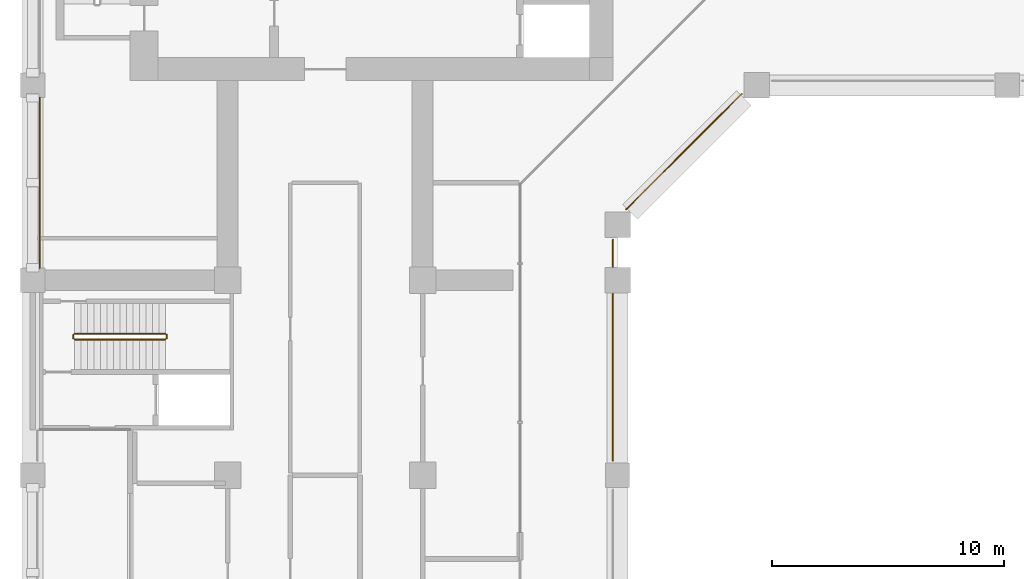
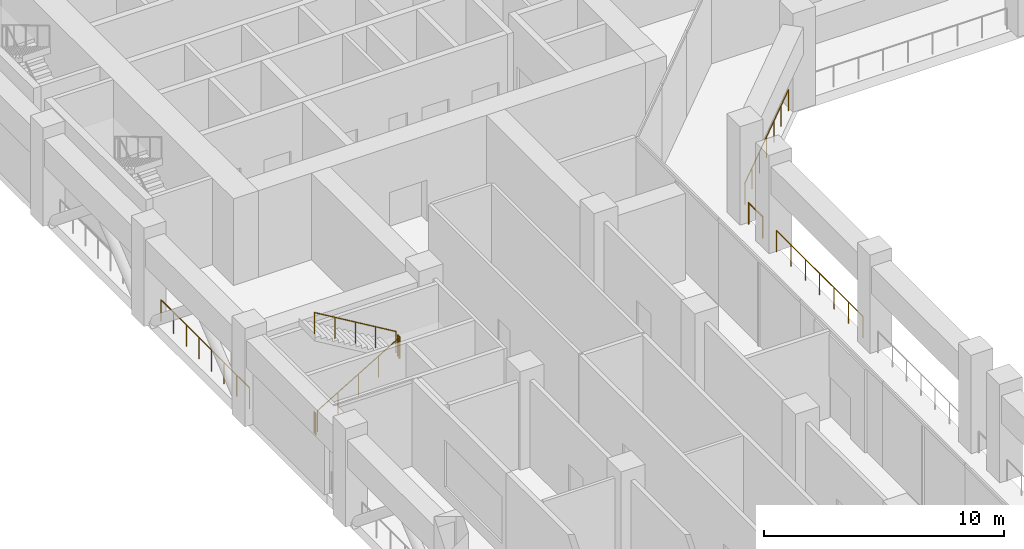
# One storey, part 14 of 19: 8 railings.
"""IFC4 building model written with IfcOpenShell, lengths in metres."""

from ifc_helpers import new_model, si_unit, direction, frame, origin, origin_2d, place, context, subcontext, project, spatial, circle, extrude, material, type_object, element, save


model = new_model("IFC4")

# Units and contexts
model_context = context("Model", 3, precision=1e-05, world=origin(), true_north=direction((0.0, 1.0)))
body_context = subcontext(model_context, "Body", "Model", "MODEL_VIEW")
ifc_project = project(units=[si_unit("LENGTHUNIT", "METRE"), si_unit("AREAUNIT", "SQUARE_METRE"), si_unit("VOLUMEUNIT", "CUBIC_METRE"), si_unit("PLANEANGLEUNIT", "RADIAN"), si_unit("MASSUNIT", "GRAM", prefix="KILO")], contexts=[model_context])

# Site, building, storey
site_placement = place(None, origin())
site = spatial("IfcSite", under=ifc_project, at=site_placement, CompositionType="ELEMENT")
building_placement = place(site_placement, origin())
building = spatial("IfcBuilding", under=site, at=building_placement, Name="Kawkab Arch Medical Tower", CompositionType="ELEMENT")
storey_placement = place(building_placement, frame((0.0, 0.0, 93.800048828125)))
storey = spatial("IfcBuildingStorey", under=building, at=storey_placement, Name="L21", CompositionType="ELEMENT", Elevation=93.800048828125)

# Railings
ifc_material_1 = material(Name="Bronze anodised aluminium guard", Category="aluminium")
railing_type_1 = type_object("IfcRailingType", Name="Loggia and terrace guard 1100", PredefinedType="GUARDRAIL", material=ifc_material_1)
railing_1_placement = place(storey_placement, frame((0.300048828125, -25.72509765625, 0.0)))
element("IfcRailing", 1, at=railing_1_placement, inside=storey, type_object=railing_type_1, Name="Band guard L21.R02.3", PredefinedType="GUARDRAIL", context=body_context, shape_type="SweptSolid", body=[
    extrude(circle(Radius=0.02392578125, at=origin_2d()), frame((0.0, 0.0, 1.076171875), z_axis=(0.0, -1.0, 0.0), x_axis=(1.0, 0.0, 0.0)), (0.0, 0.0, 1.0), 7.349853515625),
    extrude(circle(Radius=0.02099609375, at=origin_2d()), origin(), (0.0, 0.0, 1.0), 1.052001953125),
    extrude(circle(Radius=0.02099609375, at=origin_2d()), frame((0.0, -1.050048828125, 0.0)), (0.0, 0.0, 1.0), 1.052001953125),
    extrude(circle(Radius=0.02099609375, at=origin_2d()), frame((0.0, -2.099853515625, 0.0)), (0.0, 0.0, 1.0), 1.052001953125),
    extrude(circle(Radius=0.02099609375, at=origin_2d()), frame((0.0, -3.14990234375, 0.0)), (0.0, 0.0, 1.0), 1.052001953125),
    extrude(circle(Radius=0.02099609375, at=origin_2d()), frame((0.0, -4.199951171875, 0.0)), (0.0, 0.0, 1.0), 1.052001953125),
    extrude(circle(Radius=0.02099609375, at=origin_2d()), frame((0.0, -5.25, 0.0)), (0.0, 0.0, 1.0), 1.052001953125),
    extrude(circle(Radius=0.02099609375, at=origin_2d()), frame((0.0, -6.2998046875, 0.0)), (0.0, 0.0, 1.0), 1.052001953125),
    extrude(circle(Radius=0.02099609375, at=origin_2d()), frame((0.0, -7.349853515625, 0.0)), (0.0, 0.0, 1.0), 1.052001953125),
])
railing_2_placement = place(storey_placement, frame((25.0, -41.3701171875, 0.0)))
element("IfcRailing", 2, at=railing_2_placement, inside=storey, type_object=railing_type_1, Name="Guard L21.REF-01.1.13", PredefinedType="GUARDRAIL", context=body_context, shape_type="SweptSolid", body=[
    extrude(circle(Radius=0.02392578125, at=origin_2d()), frame((0.0, 0.0, 1.076171875), z_axis=(0.0, 1.0, 0.0), x_axis=(-1.0, 0.0, 0.0)), (0.0, 0.0, 1.0), 7.190185546875),
    extrude(circle(Radius=0.02099609375, at=origin_2d()), origin(), (0.0, 0.0, 1.0), 1.052001953125),
    extrude(circle(Radius=0.02099609375, at=origin_2d()), frame((0.0, 1.1982421875, 0.0)), (0.0, 0.0, 1.0), 1.052001953125),
    extrude(circle(Radius=0.02099609375, at=origin_2d()), frame((0.0, 2.396728515625, 0.0)), (0.0, 0.0, 1.0), 1.052001953125),
    extrude(circle(Radius=0.02099609375, at=origin_2d()), frame((0.0, 3.59521484375, 0.0)), (0.0, 0.0, 1.0), 1.052001953125),
    extrude(circle(Radius=0.02099609375, at=origin_2d()), frame((0.0, 4.79345703125, 0.0)), (0.0, 0.0, 1.0), 1.052001953125),
    extrude(circle(Radius=0.02099609375, at=origin_2d()), frame((0.0, 5.99169921875, 0.0)), (0.0, 0.0, 1.0), 1.052001953125),
    extrude(circle(Radius=0.02099609375, at=origin_2d()), frame((0.0, 7.190185546875, 0.0)), (0.0, 0.0, 1.0), 1.052001953125),
])
railing_3_placement = place(storey_placement, frame((25.0, -33.02001953125, 0.0)))
element("IfcRailing", 3, at=railing_3_placement, inside=storey, type_object=railing_type_1, Name="Guard L21.REF-01.1.14", PredefinedType="GUARDRAIL", context=body_context, shape_type="SweptSolid", body=[
    extrude(circle(Radius=0.02392578125, at=origin_2d()), frame((0.0, 0.0, 1.076171875), z_axis=(0.0, 1.0, 0.0), x_axis=(-1.0, 0.0, 0.0)), (0.0, 0.0, 1.0), 1.1650390625),
    extrude(circle(Radius=0.02099609375, at=origin_2d()), origin(), (0.0, 0.0, 1.0), 1.052001953125),
    extrude(circle(Radius=0.02099609375, at=origin_2d()), frame((0.0, 1.1650390625, 0.0)), (0.0, 0.0, 1.0), 1.052001953125),
])
railing_4_placement = place(storey_placement, frame((25.572021484375, -30.544921875, 0.0)))
element("IfcRailing", 4, at=railing_4_placement, inside=storey, type_object=railing_type_1, Name="Guard L21.REF-01.1.15", PredefinedType="GUARDRAIL", context=body_context, shape_type="SweptSolid", body=[
    extrude(circle(Radius=0.02392578125, at=origin_2d()), frame((0.0, 0.0, 1.076171875), z_axis=(0.707106781187, 0.707106781187, 0.0), x_axis=(-0.707106781187, 0.707106781187, 0.0)), (0.0, 0.0, 1.0), 7.03271484375),
    extrude(circle(Radius=0.02099609375, at=origin_2d()), origin(), (0.0, 0.0, 1.0), 1.052001953125),
    extrude(circle(Radius=0.02099609375, at=origin_2d()), frame((0.828857421875, 0.828857421875, 0.0)), (0.0, 0.0, 1.0), 1.052001953125),
    extrude(circle(Radius=0.02099609375, at=origin_2d()), frame((1.65771484375, 1.65771484375, 0.0)), (0.0, 0.0, 1.0), 1.052001953125),
    extrude(circle(Radius=0.02099609375, at=origin_2d()), frame((2.486328125, 2.486328125, 0.0)), (0.0, 0.0, 1.0), 1.052001953125),
    extrude(circle(Radius=0.02099609375, at=origin_2d()), frame((3.315185546875, 3.315185546875, 0.0)), (0.0, 0.0, 1.0), 1.052001953125),
    extrude(circle(Radius=0.02099609375, at=origin_2d()), frame((4.14404296875, 4.14404296875, 0.0)), (0.0, 0.0, 1.0), 1.052001953125),
    extrude(circle(Radius=0.02099609375, at=origin_2d()), frame((4.972900390625, 4.972900390625, 0.0)), (0.0, 0.0, 1.0), 1.052001953125),
])
ifc_material_2 = material(Name="Stainless steel", Category="steel")
railing_type_2 = type_object("IfcRailingType", Name="Stair guard 1100", PredefinedType="GUARDRAIL", material=ifc_material_2)
railing_5_placement = place(storey_placement, frame((1.800048828125, -36.14990234375, 0.16650390625)))
element("IfcRailing", 5, at=railing_5_placement, inside=storey, type_object=railing_type_2, Name="L21 ST6 stair guard 1", PredefinedType="GUARDRAIL", context=body_context, shape_type="SweptSolid", body=[
    extrude(circle(Radius=0.02392578125, at=origin_2d()), frame((0.0, 0.0, 1.076171875), z_axis=(0.859272722373, 0.0, 0.511517730471), x_axis=(0.0, 1.0, 0.0)), (0.0, 0.0, 1.0), 4.56201171875),
    extrude(circle(Radius=0.02099609375, at=origin_2d()), origin(), (0.0, 0.0, 1.0), 1.052001953125),
    extrude(circle(Radius=0.02099609375, at=origin_2d()), frame((0.97998046875, 0.0, 0.58349609375)), (0.0, 0.0, 1.0), 1.052001953125),
    extrude(circle(Radius=0.02099609375, at=origin_2d()), frame((1.9599609375, 0.0, 1.166748046875)), (0.0, 0.0, 1.0), 1.052001953125),
    extrude(circle(Radius=0.02099609375, at=origin_2d()), frame((2.93994140625, 0.0, 1.75)), (0.0, 0.0, 1.0), 1.052001953125),
    extrude(circle(Radius=0.02099609375, at=origin_2d()), frame((3.919921875, 0.0, 2.33349609375)), (0.0, 0.0, 1.0), 1.052001953125),
])
railing_6_placement = place(storey_placement, frame((5.77001953125, -36.10009765625, 2.5)))
element("IfcRailing", 6, at=railing_6_placement, inside=storey, type_object=railing_type_2, Name="L21 ST6 stair guard 2", PredefinedType="GUARDRAIL", context=body_context, shape_type="SweptSolid", body=[
    extrude(circle(Radius=0.02392578125, at=origin_2d()), frame((0.0, 0.0, 1.076171875), z_axis=(0.0, 1.0, 0.0), x_axis=(-1.0, 0.0, 0.0)), (0.0, 0.0, 1.0), 0.150146484375),
    extrude(circle(Radius=0.02099609375, at=origin_2d()), origin(), (0.0, 0.0, 1.0), 1.052001953125),
    extrude(circle(Radius=0.02099609375, at=origin_2d()), frame((0.0, 0.150146484375, 0.0)), (0.0, 0.0, 1.0), 1.052001953125),
])
railing_7_placement = place(storey_placement, frame((5.719970703125, -35.89990234375, 2.66650390625)))
element("IfcRailing", 7, at=railing_7_placement, inside=storey, type_object=railing_type_2, Name="L21 ST6 stair guard 3", PredefinedType="GUARDRAIL", context=body_context, shape_type="SweptSolid", body=[
    extrude(circle(Radius=0.02392578125, at=origin_2d()), frame((0.0, 0.0, 1.076171875), z_axis=(-0.859272722373, 0.0, 0.511517730471), x_axis=(0.0, -1.0, 0.0)), (0.0, 0.0, 1.0), 4.56201171875),
    extrude(circle(Radius=0.02099609375, at=origin_2d()), origin(), (0.0, 0.0, 1.0), 1.052001953125),
    extrude(circle(Radius=0.02099609375, at=origin_2d()), frame((-0.97998046875, 0.0, 0.58349609375)), (0.0, 0.0, 1.0), 1.052001953125),
    extrude(circle(Radius=0.02099609375, at=origin_2d()), frame((-1.9599609375, 0.0, 1.166748046875)), (0.0, 0.0, 1.0), 1.052001953125),
    extrude(circle(Radius=0.02099609375, at=origin_2d()), frame((-2.93994140625, 0.0, 1.75)), (0.0, 0.0, 1.0), 1.052001953125),
    extrude(circle(Radius=0.02099609375, at=origin_2d()), frame((-3.919921875, 0.0, 2.33349609375)), (0.0, 0.0, 1.0), 1.052001953125),
])
railing_8_placement = place(storey_placement, frame((1.75, -36.10009765625, 0.0)))
element("IfcRailing", 8, at=railing_8_placement, inside=storey, type_object=railing_type_2, Name="L21 ST6 stair guard 4", PredefinedType="GUARDRAIL", context=body_context, shape_type="SweptSolid", body=[
    extrude(circle(Radius=0.02392578125, at=origin_2d()), frame((0.0, 0.0, 1.076171875), z_axis=(0.0, 1.0, 0.0), x_axis=(-1.0, 0.0, 0.0)), (0.0, 0.0, 1.0), 0.150146484375),
    extrude(circle(Radius=0.02099609375, at=origin_2d()), origin(), (0.0, 0.0, 1.0), 1.052001953125),
    extrude(circle(Radius=0.02099609375, at=origin_2d()), frame((0.0, 0.150146484375, 0.0)), (0.0, 0.0, 1.0), 1.052001953125),
])

save(model, "model.ifc")
